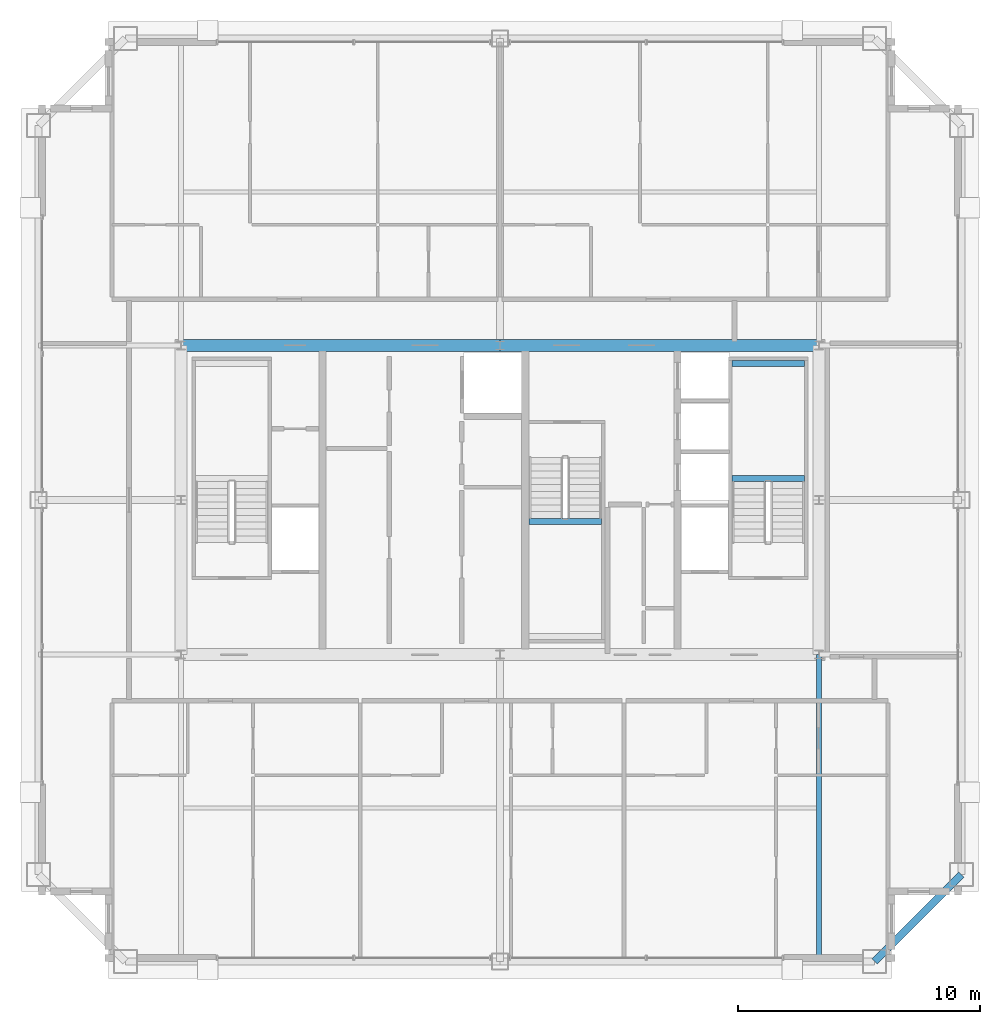
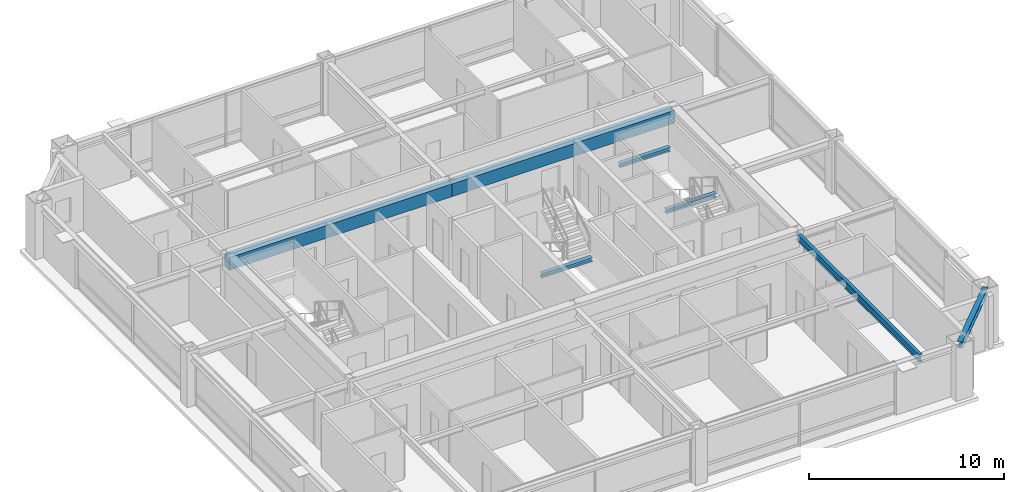
# One storey, part 13 of 35: 7 beams.
"""IFC4 building model written with IfcOpenShell, lengths in metres."""

from ifc_helpers import new_model, si_unit, direction, frame, origin, origin_2d, place, context, subcontext, project, spatial, rectangle, i_section, extrude, source, transform, mapped, material, material_profile, profile_set, type_object, element, save


model = new_model("IFC4")

# Units and contexts
model_context = context("Model", 3, precision=1e-05, world=origin(), true_north=direction((0.0, 1.0)))
body_context = subcontext(model_context, "Body", "Model", "MODEL_VIEW")
ifc_project = project(units=[si_unit("LENGTHUNIT", "METRE"), si_unit("AREAUNIT", "SQUARE_METRE"), si_unit("VOLUMEUNIT", "CUBIC_METRE"), si_unit("PLANEANGLEUNIT", "RADIAN"), si_unit("MASSUNIT", "GRAM", prefix="KILO"), si_unit("THERMODYNAMICTEMPERATUREUNIT", "KELVIN"), si_unit("POWERUNIT", "WATT")], contexts=[model_context])

# Site, building, storey
site_placement = place(None, origin())
site = spatial("IfcSite", under=ifc_project, at=site_placement, CompositionType="ELEMENT")
building_placement = place(site_placement, origin())
building = spatial("IfcBuilding", under=site, at=building_placement, Name="Yuzanri Waterfront Tower", CompositionType="ELEMENT")
storey_placement = place(building_placement, frame((0.0, 0.0, 311.199951171875)))
storey = spatial("IfcBuildingStorey", under=building, at=storey_placement, Name="L83", CompositionType="ELEMENT", Elevation=311.199951171875)

# Beams
ifc_material_1 = material(Name="Concrete C50", Category="concrete")
ifc_material_profile_1 = material_profile(ifc_material_1, rectangle(XDim=0.5, YDim=0.800048828125, at=origin_2d()), Name="RC 500x800")
ifc_profile_set_1 = profile_set([ifc_material_profile_1], Name="Concrete C50")
beam_type_1 = type_object("IfcBeamType", Name="Core Coupling Lintel Concrete C50 500x800", PredefinedType="LINTEL", material=ifc_profile_set_1)
shared_shape_1 = source(origin(), body_context, "Body", "SweptSolid", [
    extrude(rectangle(XDim=0.5, YDim=0.800048828125, at=origin_2d()), origin(), (0.0, 0.0, 1.0), 13.199951171875),
])
for number, where, z_axis, x_axis, name in (
    (1, (23.800048828125, 32.199951171875, 2.880126953125), (1.0, 0.0, 0.0), (0.0, 1.0, 0.0), "L83 Core Tie Beam CN1"),
    (2, (37.0, 32.199951171875, 2.880126953125), (1.0, 0.0, 0.0), (0.0, 1.0, 0.0), "L83 Core Tie Beam CN2"),
):
    element("IfcBeam", number, at=place(storey_placement, frame(where, z_axis=z_axis, x_axis=x_axis)), inside=storey, type_object=beam_type_1, Name=name, PredefinedType="LINTEL", context=body_context, shape_type="MappedRepresentation", body=[
        mapped(shared_shape_1, transform((0.0, 0.0, 0.0), scale=1.0)),
    ])
ifc_material_2 = material(Name="Steel Q355B", Category="steel")
ifc_material_profile_2 = material_profile(ifc_material_2, i_section(OverallWidth=0.300048828125, OverallDepth=0.389892578125, WebThickness=0.010009765625, FlangeThickness=0.01611328125, at=origin_2d()), Name="HM 390x300x10x16")
ifc_profile_set_2 = profile_set([ifc_material_profile_2], Name="Steel Q355B")
beam_type_2 = type_object("IfcBeamType", Name="Perimeter Spandrel Q355B HM 390x300", PredefinedType="SPANDREL", material=ifc_profile_set_2)
shared_shape_2 = source(origin(), body_context, "Body", "SweptSolid", [
    extrude(i_section(OverallWidth=0.300048828125, OverallDepth=0.389892578125, WebThickness=0.010009765625, FlangeThickness=0.01611328125, at=origin_2d()), origin(), (0.0, 0.0, 1.0), 5.09130859375),
])
beam_1_placement = place(storey_placement, frame((52.5, 6.699951171875, 3.0849609375), z_axis=(0.707106781187, 0.707106781187, 0.0), x_axis=(-0.707106781187, 0.707106781187, 0.0)))
element("IfcBeam", 3, at=beam_1_placement, inside=storey, type_object=beam_type_2, Name="L83 Perimeter Spandrel S3-E1", PredefinedType="SPANDREL", context=body_context, shape_type="MappedRepresentation", body=[
    mapped(shared_shape_2, transform((0.0, 0.0, 0.0), scale=1.0)),
])
ifc_material_3 = material(Name="Steel Q355B", Category="steel")
ifc_material_profile_3 = material_profile(ifc_material_3, i_section(OverallWidth=0.199951171875, OverallDepth=0.449951171875, WebThickness=0.009033203125, FlangeThickness=0.013916015625, at=origin_2d()), Name="HN 450x200x9x14")
ifc_profile_set_3 = profile_set([ifc_material_profile_3], Name="Steel Q355B")
beam_type_3 = type_object("IfcBeamType", Name="Secondary Floor Beam Q355B HN 450x200", PredefinedType="BEAM", material=ifc_profile_set_3)
shared_shape_3 = source(origin(), body_context, "Body", "SweptSolid", [
    extrude(i_section(OverallWidth=0.199951171875, OverallDepth=0.449951171875, WebThickness=0.009033203125, FlangeThickness=0.013916015625, at=origin_2d()), origin(), (0.0, 0.0, 1.0), 12.699951171875),
])
beam_2_placement = place(storey_placement, frame((50.199951171875, 19.39990234375, 3.054931640625), z_axis=(0.0, -1.0, 0.0), x_axis=(1.0, 0.0, 0.0)))
element("IfcBeam", 4, at=beam_2_placement, inside=storey, type_object=beam_type_3, Name="L83 South-East Core Line Beam", PredefinedType="BEAM", context=body_context, shape_type="MappedRepresentation", body=[
    mapped(shared_shape_3, transform((0.0, 0.0, 0.0), scale=1.0)),
])
ifc_material_4 = material(Name="Steel Q355B", Category="steel")
ifc_material_profile_4 = material_profile(ifc_material_4, i_section(OverallWidth=0.25, OverallDepth=0.25, WebThickness=0.009033203125, FlangeThickness=0.013916015625, at=origin_2d()), Name="HW 250x250x9x14")
ifc_profile_set_4 = profile_set([ifc_material_profile_4], Name="Steel Q355B")
beam_type_4 = type_object("IfcBeamType", Name="Stair Landing Support Beam Q355B HW 250x250", PredefinedType="BEAM", material=ifc_profile_set_4)
shared_shape_4 = source(origin(), body_context, "Body", "SweptSolid", [
    extrude(i_section(OverallWidth=0.25, OverallDepth=0.25, WebThickness=0.009033203125, FlangeThickness=0.013916015625, at=origin_2d()), origin(), (0.0, 0.0, 1.0), 3.0),
])
for number, where, z_axis, x_axis, name in (
    (5, (46.60009765625, 26.68994140625, 1.425048828125), (1.0, 0.0, 0.0), (0.0, 1.0, 0.0), "L83 Stair Landing Support Beam ST-02-L83-L1-1"),
    (6, (46.60009765625, 31.449951171875, 1.425048828125), (1.0, 0.0, 0.0), (0.0, 1.0, 0.0), "L83 Stair Landing Support Beam ST-02-L83-L1-2"),
    (7, (38.199951171875, 24.909912109375, 1.425048828125), (1.0, 0.0, 0.0), (0.0, 1.0, 0.0), "L83 Stair Landing Support Beam ST-03-L83-L1-2"),
):
    element("IfcBeam", number, at=place(storey_placement, frame(where, z_axis=z_axis, x_axis=x_axis)), inside=storey, type_object=beam_type_4, Name=name, PredefinedType="BEAM", context=body_context, shape_type="MappedRepresentation", body=[
        mapped(shared_shape_4, transform((0.0, 0.0, 0.0), scale=1.0)),
    ])

save(model, "model.ifc")
